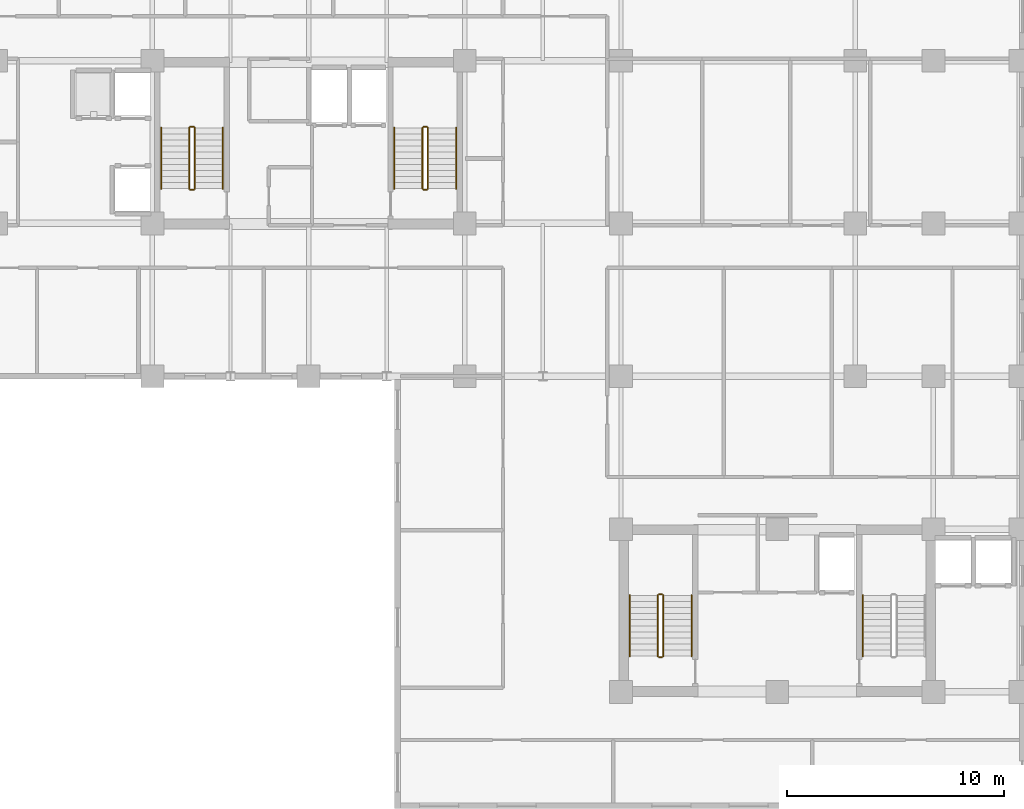
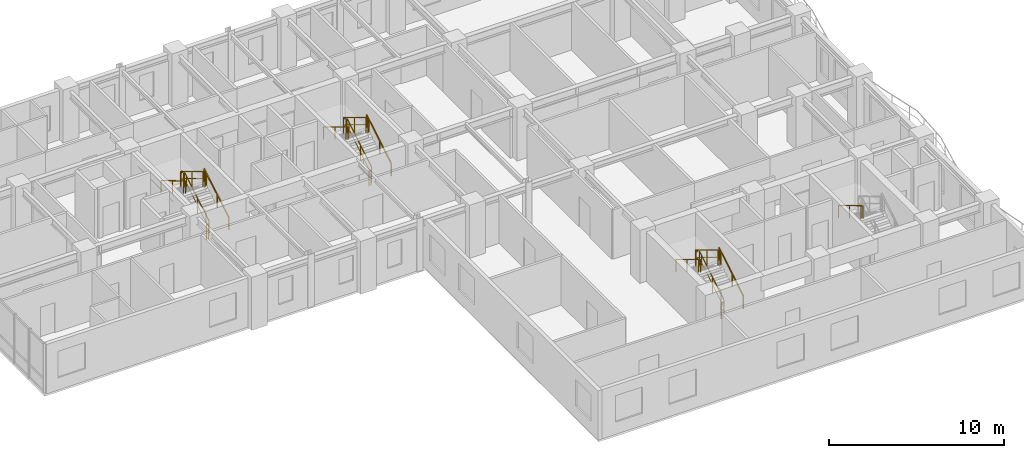
# One storey, part 17 of 20: 19 railings.
"""IFC4 building model written with IfcOpenShell, lengths in metres."""

from ifc_helpers import new_model, si_unit, direction, frame, origin, origin_2d, place, context, subcontext, project, spatial, rectangle, extrude, material, type_object, element, save


model = new_model("IFC4")

# Units and contexts
model_context = context("Model", 3, precision=1e-05, world=origin(), true_north=direction((0.0, 1.0)))
body_context = subcontext(model_context, "Body", "Model", "MODEL_VIEW")
ifc_project = project(units=[si_unit("LENGTHUNIT", "METRE"), si_unit("AREAUNIT", "SQUARE_METRE"), si_unit("VOLUMEUNIT", "CUBIC_METRE"), si_unit("PLANEANGLEUNIT", "RADIAN"), si_unit("MASSUNIT", "GRAM", prefix="KILO")], contexts=[model_context])

# Site, building, storey
site_placement = place(None, origin())
site = spatial("IfcSite", under=ifc_project, at=site_placement, CompositionType="ELEMENT")
building_placement = place(site_placement, origin())
building = spatial("IfcBuilding", under=site, at=building_placement, Name="Kaliganga Portal Commons", CompositionType="ELEMENT")
storey_placement = place(building_placement, frame((0.0, 0.0, 155.0)))
storey = spatial("IfcBuildingStorey", under=building, at=storey_placement, Name="L39", CompositionType="ELEMENT", Elevation=155.0)

# Railings
ifc_material_1 = material(Name="Galvanized Painted Steel Balustrade", Category="steel")
railing_type_1 = type_object("IfcRailingType", Name="RLG-STAIR-GRD", PredefinedType="GUARDRAIL", material=ifc_material_1)
railing_1_placement = place(storey_placement, frame((16.35009765625, 30.25, 0.168212890625)))
element("IfcRailing", 1, at=railing_1_placement, inside=storey, type_object=railing_type_1, Name="L39 ST-A1 stair guard 1", PredefinedType="GUARDRAIL", context=body_context, shape_type="SweptSolid", body=[
    extrude(rectangle(XDim=0.048095703125, YDim=0.048095703125, at=origin_2d()), frame((0.0, 0.0, 1.072021484375), z_axis=(0.0, 0.857242210791, 0.514913383045), x_axis=(-1.0, 0.0, 0.0)), (0.0, 0.0, 1.0), 3.266357421875),
    extrude(rectangle(XDim=0.028076171875, YDim=0.028076171875, at=origin_2d()), frame((0.0, 0.0, 0.572021484375), z_axis=(0.0, 0.857242210791, 0.514913383045), x_axis=(-1.0, 0.0, 0.0)), (0.0, 0.0, 1.0), 3.266357421875),
    extrude(rectangle(XDim=0.0419921875, YDim=0.0419921875, at=origin_2d()), origin(), (0.0, 0.0, 1.0), 1.052001953125),
    extrude(rectangle(XDim=0.0419921875, YDim=0.0419921875, at=origin_2d()), frame((0.0, 1.285888671875, 0.7724609375)), (0.0, 0.0, 1.0), 1.052001953125),
    extrude(rectangle(XDim=0.0419921875, YDim=0.0419921875, at=origin_2d()), frame((0.0, 2.57177734375, 1.544677734375)), (0.0, 0.0, 1.0), 1.052001953125),
    extrude(rectangle(XDim=0.0419921875, YDim=0.0419921875, at=origin_2d()), frame((0.0, 2.800048828125, 1.681884765625)), (0.0, 0.0, 1.0), 1.052001953125),
])
railing_2_placement = place(storey_placement, frame((16.300048828125, 33.10009765625, 1.85009765625)))
element("IfcRailing", 2, at=railing_2_placement, inside=storey, type_object=railing_type_1, Name="L39 ST-A1 stair guard 2", PredefinedType="GUARDRAIL", context=body_context, shape_type="SweptSolid", body=[
    extrude(rectangle(XDim=0.048095703125, YDim=0.048095703125, at=origin_2d()), frame((0.0, 0.0, 1.076171875), z_axis=(-1.0, 0.0, 0.0), x_axis=(0.0, -1.0, 0.0)), (0.0, 0.0, 1.0), 0.150146484375),
    extrude(rectangle(XDim=0.028076171875, YDim=0.028076171875, at=origin_2d()), frame((0.0, 0.0, 0.572021484375), z_axis=(-1.0, 0.0, 0.0), x_axis=(0.0, -1.0, 0.0)), (0.0, 0.0, 1.0), 0.150146484375),
    extrude(rectangle(XDim=0.0419921875, YDim=0.0419921875, at=origin_2d()), origin(), (0.0, 0.0, 1.0), 1.052001953125),
    extrude(rectangle(XDim=0.0419921875, YDim=0.0419921875, at=origin_2d()), frame((-0.150146484375, 0.0, 0.0)), (0.0, 0.0, 1.0), 1.052001953125),
])
railing_3_placement = place(storey_placement, frame((16.10009765625, 33.050048828125, 2.01806640625)))
element("IfcRailing", 3, at=railing_3_placement, inside=storey, type_object=railing_type_1, Name="L39 ST-A1 stair guard 3", PredefinedType="GUARDRAIL", context=body_context, shape_type="SweptSolid", body=[
    extrude(rectangle(XDim=0.048095703125, YDim=0.048095703125, at=origin_2d()), frame((0.0, 0.0, 1.072021484375), z_axis=(0.0, -0.857242210791, 0.514913383045), x_axis=(1.0, 0.0, 0.0)), (0.0, 0.0, 1.0), 3.266357421875),
    extrude(rectangle(XDim=0.028076171875, YDim=0.028076171875, at=origin_2d()), frame((0.0, 0.0, 0.572021484375), z_axis=(0.0, -0.857242210791, 0.514913383045), x_axis=(1.0, 0.0, 0.0)), (0.0, 0.0, 1.0), 3.266357421875),
    extrude(rectangle(XDim=0.0419921875, YDim=0.0419921875, at=origin_2d()), origin(), (0.0, 0.0, 1.0), 1.052001953125),
    extrude(rectangle(XDim=0.0419921875, YDim=0.0419921875, at=origin_2d()), frame((0.0, -1.285888671875, 0.7724609375)), (0.0, 0.0, 1.0), 1.052001953125),
    extrude(rectangle(XDim=0.0419921875, YDim=0.0419921875, at=origin_2d()), frame((0.0, -2.57177734375, 1.544677734375)), (0.0, 0.0, 1.0), 1.052001953125),
    extrude(rectangle(XDim=0.0419921875, YDim=0.0419921875, at=origin_2d()), frame((0.0, -2.800048828125, 1.681884765625)), (0.0, 0.0, 1.0), 1.052001953125),
])
railing_4_placement = place(storey_placement, frame((16.300048828125, 30.199951171875, 0.0)))
element("IfcRailing", 4, at=railing_4_placement, inside=storey, type_object=railing_type_1, Name="L39 ST-A1 stair guard 4", PredefinedType="GUARDRAIL", context=body_context, shape_type="SweptSolid", body=[
    extrude(rectangle(XDim=0.048095703125, YDim=0.048095703125, at=origin_2d()), frame((0.0, 0.0, 1.076171875), z_axis=(-1.0, 0.0, 0.0), x_axis=(0.0, -1.0, 0.0)), (0.0, 0.0, 1.0), 0.150146484375),
    extrude(rectangle(XDim=0.028076171875, YDim=0.028076171875, at=origin_2d()), frame((0.0, 0.0, 0.572021484375), z_axis=(-1.0, 0.0, 0.0), x_axis=(0.0, -1.0, 0.0)), (0.0, 0.0, 1.0), 0.150146484375),
    extrude(rectangle(XDim=0.0419921875, YDim=0.0419921875, at=origin_2d()), origin(), (0.0, 0.0, 1.0), 1.052001953125),
    extrude(rectangle(XDim=0.0419921875, YDim=0.0419921875, at=origin_2d()), frame((-0.150146484375, 0.0, 0.0)), (0.0, 0.0, 1.0), 1.052001953125),
])
railing_5_placement = place(storey_placement, frame((27.10009765625, 30.25, 0.168212890625)))
element("IfcRailing", 5, at=railing_5_placement, inside=storey, type_object=railing_type_1, Name="L39 ST-A2 stair guard 1", PredefinedType="GUARDRAIL", context=body_context, shape_type="SweptSolid", body=[
    extrude(rectangle(XDim=0.048095703125, YDim=0.048095703125, at=origin_2d()), frame((0.0, 0.0, 1.072021484375), z_axis=(0.0, 0.857242210791, 0.514913383045), x_axis=(-1.0, 0.0, 0.0)), (0.0, 0.0, 1.0), 3.266357421875),
    extrude(rectangle(XDim=0.028076171875, YDim=0.028076171875, at=origin_2d()), frame((0.0, 0.0, 0.572021484375), z_axis=(0.0, 0.857242210791, 0.514913383045), x_axis=(-1.0, 0.0, 0.0)), (0.0, 0.0, 1.0), 3.266357421875),
    extrude(rectangle(XDim=0.0419921875, YDim=0.0419921875, at=origin_2d()), origin(), (0.0, 0.0, 1.0), 1.052001953125),
    extrude(rectangle(XDim=0.0419921875, YDim=0.0419921875, at=origin_2d()), frame((0.0, 1.285888671875, 0.7724609375)), (0.0, 0.0, 1.0), 1.052001953125),
    extrude(rectangle(XDim=0.0419921875, YDim=0.0419921875, at=origin_2d()), frame((0.0, 2.57177734375, 1.544677734375)), (0.0, 0.0, 1.0), 1.052001953125),
    extrude(rectangle(XDim=0.0419921875, YDim=0.0419921875, at=origin_2d()), frame((0.0, 2.800048828125, 1.681884765625)), (0.0, 0.0, 1.0), 1.052001953125),
])
railing_6_placement = place(storey_placement, frame((27.050048828125, 33.10009765625, 1.85009765625)))
element("IfcRailing", 6, at=railing_6_placement, inside=storey, type_object=railing_type_1, Name="L39 ST-A2 stair guard 2", PredefinedType="GUARDRAIL", context=body_context, shape_type="SweptSolid", body=[
    extrude(rectangle(XDim=0.048095703125, YDim=0.048095703125, at=origin_2d()), frame((0.0, 0.0, 1.076171875), z_axis=(-1.0, 0.0, 0.0), x_axis=(0.0, -1.0, 0.0)), (0.0, 0.0, 1.0), 0.150146484375),
    extrude(rectangle(XDim=0.028076171875, YDim=0.028076171875, at=origin_2d()), frame((0.0, 0.0, 0.572021484375), z_axis=(-1.0, 0.0, 0.0), x_axis=(0.0, -1.0, 0.0)), (0.0, 0.0, 1.0), 0.150146484375),
    extrude(rectangle(XDim=0.0419921875, YDim=0.0419921875, at=origin_2d()), origin(), (0.0, 0.0, 1.0), 1.052001953125),
    extrude(rectangle(XDim=0.0419921875, YDim=0.0419921875, at=origin_2d()), frame((-0.150146484375, 0.0, 0.0)), (0.0, 0.0, 1.0), 1.052001953125),
])
railing_7_placement = place(storey_placement, frame((26.85009765625, 33.050048828125, 2.01806640625)))
element("IfcRailing", 7, at=railing_7_placement, inside=storey, type_object=railing_type_1, Name="L39 ST-A2 stair guard 3", PredefinedType="GUARDRAIL", context=body_context, shape_type="SweptSolid", body=[
    extrude(rectangle(XDim=0.048095703125, YDim=0.048095703125, at=origin_2d()), frame((0.0, 0.0, 1.072021484375), z_axis=(0.0, -0.857242210791, 0.514913383045), x_axis=(1.0, 0.0, 0.0)), (0.0, 0.0, 1.0), 3.266357421875),
    extrude(rectangle(XDim=0.028076171875, YDim=0.028076171875, at=origin_2d()), frame((0.0, 0.0, 0.572021484375), z_axis=(0.0, -0.857242210791, 0.514913383045), x_axis=(1.0, 0.0, 0.0)), (0.0, 0.0, 1.0), 3.266357421875),
    extrude(rectangle(XDim=0.0419921875, YDim=0.0419921875, at=origin_2d()), origin(), (0.0, 0.0, 1.0), 1.052001953125),
    extrude(rectangle(XDim=0.0419921875, YDim=0.0419921875, at=origin_2d()), frame((0.0, -1.285888671875, 0.7724609375)), (0.0, 0.0, 1.0), 1.052001953125),
    extrude(rectangle(XDim=0.0419921875, YDim=0.0419921875, at=origin_2d()), frame((0.0, -2.57177734375, 1.544677734375)), (0.0, 0.0, 1.0), 1.052001953125),
    extrude(rectangle(XDim=0.0419921875, YDim=0.0419921875, at=origin_2d()), frame((0.0, -2.800048828125, 1.681884765625)), (0.0, 0.0, 1.0), 1.052001953125),
])
railing_8_placement = place(storey_placement, frame((27.050048828125, 30.199951171875, 0.0)))
element("IfcRailing", 8, at=railing_8_placement, inside=storey, type_object=railing_type_1, Name="L39 ST-A2 stair guard 4", PredefinedType="GUARDRAIL", context=body_context, shape_type="SweptSolid", body=[
    extrude(rectangle(XDim=0.048095703125, YDim=0.048095703125, at=origin_2d()), frame((0.0, 0.0, 1.076171875), z_axis=(-1.0, 0.0, 0.0), x_axis=(0.0, -1.0, 0.0)), (0.0, 0.0, 1.0), 0.150146484375),
    extrude(rectangle(XDim=0.028076171875, YDim=0.028076171875, at=origin_2d()), frame((0.0, 0.0, 0.572021484375), z_axis=(-1.0, 0.0, 0.0), x_axis=(0.0, -1.0, 0.0)), (0.0, 0.0, 1.0), 0.150146484375),
    extrude(rectangle(XDim=0.0419921875, YDim=0.0419921875, at=origin_2d()), origin(), (0.0, 0.0, 1.0), 1.052001953125),
    extrude(rectangle(XDim=0.0419921875, YDim=0.0419921875, at=origin_2d()), frame((-0.150146484375, 0.0, 0.0)), (0.0, 0.0, 1.0), 1.052001953125),
])
railing_9_placement = place(storey_placement, frame((37.949951171875, 8.699951171875, 0.168212890625)))
element("IfcRailing", 9, at=railing_9_placement, inside=storey, type_object=railing_type_1, Name="L39 ST-B1 stair guard 1", PredefinedType="GUARDRAIL", context=body_context, shape_type="SweptSolid", body=[
    extrude(rectangle(XDim=0.048095703125, YDim=0.048095703125, at=origin_2d()), frame((0.0, 0.0, 1.072021484375), z_axis=(0.0, 0.857242210791, 0.514913383045), x_axis=(-1.0, 0.0, 0.0)), (0.0, 0.0, 1.0), 3.266357421875),
    extrude(rectangle(XDim=0.028076171875, YDim=0.028076171875, at=origin_2d()), frame((0.0, 0.0, 0.572021484375), z_axis=(0.0, 0.857242210791, 0.514913383045), x_axis=(-1.0, 0.0, 0.0)), (0.0, 0.0, 1.0), 3.266357421875),
    extrude(rectangle(XDim=0.0419921875, YDim=0.0419921875, at=origin_2d()), origin(), (0.0, 0.0, 1.0), 1.052001953125),
    extrude(rectangle(XDim=0.0419921875, YDim=0.0419921875, at=origin_2d()), frame((0.0, 1.285888671875, 0.7724609375)), (0.0, 0.0, 1.0), 1.052001953125),
    extrude(rectangle(XDim=0.0419921875, YDim=0.0419921875, at=origin_2d()), frame((0.0, 2.57177734375, 1.544677734375)), (0.0, 0.0, 1.0), 1.052001953125),
    extrude(rectangle(XDim=0.0419921875, YDim=0.0419921875, at=origin_2d()), frame((0.0, 2.800048828125, 1.681884765625)), (0.0, 0.0, 1.0), 1.052001953125),
])
railing_10_placement = place(storey_placement, frame((37.89990234375, 11.550048828125, 1.85009765625)))
element("IfcRailing", 10, at=railing_10_placement, inside=storey, type_object=railing_type_1, Name="L39 ST-B1 stair guard 2", PredefinedType="GUARDRAIL", context=body_context, shape_type="SweptSolid", body=[
    extrude(rectangle(XDim=0.048095703125, YDim=0.048095703125, at=origin_2d()), frame((0.0, 0.0, 1.076171875), z_axis=(-1.0, 0.0, 0.0), x_axis=(0.0, -1.0, 0.0)), (0.0, 0.0, 1.0), 0.14990234375),
    extrude(rectangle(XDim=0.028076171875, YDim=0.028076171875, at=origin_2d()), frame((0.0, 0.0, 0.572021484375), z_axis=(-1.0, 0.0, 0.0), x_axis=(0.0, -1.0, 0.0)), (0.0, 0.0, 1.0), 0.14990234375),
    extrude(rectangle(XDim=0.0419921875, YDim=0.0419921875, at=origin_2d()), frame((-0.14990234375, 0.0, 0.0)), (0.0, 0.0, 1.0), 1.052001953125),
])
railing_11_placement = place(storey_placement, frame((37.699951171875, 11.5, 2.01806640625)))
element("IfcRailing", 11, at=railing_11_placement, inside=storey, type_object=railing_type_1, Name="L39 ST-B1 stair guard 3", PredefinedType="GUARDRAIL", context=body_context, shape_type="SweptSolid", body=[
    extrude(rectangle(XDim=0.048095703125, YDim=0.048095703125, at=origin_2d()), frame((0.0, 0.0, 1.072021484375), z_axis=(0.0, -0.857242210791, 0.514913383045), x_axis=(1.0, 0.0, 0.0)), (0.0, 0.0, 1.0), 3.266357421875),
    extrude(rectangle(XDim=0.028076171875, YDim=0.028076171875, at=origin_2d()), frame((0.0, 0.0, 0.572021484375), z_axis=(0.0, -0.857242210791, 0.514913383045), x_axis=(1.0, 0.0, 0.0)), (0.0, 0.0, 1.0), 3.266357421875),
    extrude(rectangle(XDim=0.0419921875, YDim=0.0419921875, at=origin_2d()), origin(), (0.0, 0.0, 1.0), 1.052001953125),
    extrude(rectangle(XDim=0.0419921875, YDim=0.0419921875, at=origin_2d()), frame((0.0, -1.285888671875, 0.7724609375)), (0.0, 0.0, 1.0), 1.052001953125),
    extrude(rectangle(XDim=0.0419921875, YDim=0.0419921875, at=origin_2d()), frame((0.0, -2.57177734375, 1.544677734375)), (0.0, 0.0, 1.0), 1.052001953125),
    extrude(rectangle(XDim=0.0419921875, YDim=0.0419921875, at=origin_2d()), frame((0.0, -2.800048828125, 1.681884765625)), (0.0, 0.0, 1.0), 1.052001953125),
])
railing_12_placement = place(storey_placement, frame((37.89990234375, 8.64990234375, 0.0)))
element("IfcRailing", 12, at=railing_12_placement, inside=storey, type_object=railing_type_1, Name="L39 ST-B1 stair guard 4", PredefinedType="GUARDRAIL", context=body_context, shape_type="SweptSolid", body=[
    extrude(rectangle(XDim=0.048095703125, YDim=0.048095703125, at=origin_2d()), frame((0.0, 0.0, 1.076171875), z_axis=(-1.0, 0.0, 0.0), x_axis=(0.0, -1.0, 0.0)), (0.0, 0.0, 1.0), 0.14990234375),
    extrude(rectangle(XDim=0.028076171875, YDim=0.028076171875, at=origin_2d()), frame((0.0, 0.0, 0.572021484375), z_axis=(-1.0, 0.0, 0.0), x_axis=(0.0, -1.0, 0.0)), (0.0, 0.0, 1.0), 0.14990234375),
    extrude(rectangle(XDim=0.0419921875, YDim=0.0419921875, at=origin_2d()), frame((-0.14990234375, 0.0, 0.0)), (0.0, 0.0, 1.0), 1.052001953125),
])
ifc_material_2 = material(Name="Brushed Stainless Steel 316", Category="steel")
railing_type_2 = type_object("IfcRailingType", Name="RLG-STAIR-HR", PredefinedType="HANDRAIL", material=ifc_material_2)
railing_13_placement = place(storey_placement, frame((17.64990234375, 30.25, 0.168212890625)))
element("IfcRailing", 13, at=railing_13_placement, inside=storey, type_object=railing_type_2, Name="L39 ST-A1 stair handrail 1", PredefinedType="HANDRAIL", context=body_context, shape_type="SweptSolid", body=[
    extrude(rectangle(XDim=0.048095703125, YDim=0.048095703125, at=origin_2d()), frame((0.0, 0.0, 0.871826171875), z_axis=(0.0, 0.857242210791, 0.514913383045), x_axis=(-1.0, 0.0, 0.0)), (0.0, 0.0, 1.0), 3.266357421875),
    extrude(rectangle(XDim=0.0419921875, YDim=0.0419921875, at=origin_2d()), origin(), (0.0, 0.0, 1.0), 0.851806640625),
    extrude(rectangle(XDim=0.0419921875, YDim=0.0419921875, at=origin_2d()), frame((0.0, 1.285888671875, 0.7724609375)), (0.0, 0.0, 1.0), 0.851806640625),
    extrude(rectangle(XDim=0.0419921875, YDim=0.0419921875, at=origin_2d()), frame((0.0, 2.57177734375, 1.544677734375)), (0.0, 0.0, 1.0), 0.851806640625),
    extrude(rectangle(XDim=0.0419921875, YDim=0.0419921875, at=origin_2d()), frame((0.0, 2.800048828125, 1.681884765625)), (0.0, 0.0, 1.0), 0.851806640625),
])
railing_14_placement = place(storey_placement, frame((14.800048828125, 33.050048828125, 2.01806640625)))
element("IfcRailing", 14, at=railing_14_placement, inside=storey, type_object=railing_type_2, Name="L39 ST-A1 stair handrail 2", PredefinedType="HANDRAIL", context=body_context, shape_type="SweptSolid", body=[
    extrude(rectangle(XDim=0.048095703125, YDim=0.048095703125, at=origin_2d()), frame((0.0, 0.0, 0.871826171875), z_axis=(0.0, -0.857242210791, 0.514913383045), x_axis=(1.0, 0.0, 0.0)), (0.0, 0.0, 1.0), 3.266357421875),
    extrude(rectangle(XDim=0.0419921875, YDim=0.0419921875, at=origin_2d()), origin(), (0.0, 0.0, 1.0), 0.851806640625),
    extrude(rectangle(XDim=0.0419921875, YDim=0.0419921875, at=origin_2d()), frame((0.0, -1.285888671875, 0.7724609375)), (0.0, 0.0, 1.0), 0.851806640625),
    extrude(rectangle(XDim=0.0419921875, YDim=0.0419921875, at=origin_2d()), frame((0.0, -2.57177734375, 1.544677734375)), (0.0, 0.0, 1.0), 0.851806640625),
    extrude(rectangle(XDim=0.0419921875, YDim=0.0419921875, at=origin_2d()), frame((0.0, -2.800048828125, 1.681884765625)), (0.0, 0.0, 1.0), 0.851806640625),
])
railing_15_placement = place(storey_placement, frame((28.39990234375, 30.25, 0.168212890625)))
element("IfcRailing", 15, at=railing_15_placement, inside=storey, type_object=railing_type_2, Name="L39 ST-A2 stair handrail 1", PredefinedType="HANDRAIL", context=body_context, shape_type="SweptSolid", body=[
    extrude(rectangle(XDim=0.048095703125, YDim=0.048095703125, at=origin_2d()), frame((0.0, 0.0, 0.871826171875), z_axis=(0.0, 0.857242210791, 0.514913383045), x_axis=(-1.0, 0.0, 0.0)), (0.0, 0.0, 1.0), 3.266357421875),
    extrude(rectangle(XDim=0.0419921875, YDim=0.0419921875, at=origin_2d()), origin(), (0.0, 0.0, 1.0), 0.851806640625),
    extrude(rectangle(XDim=0.0419921875, YDim=0.0419921875, at=origin_2d()), frame((0.0, 1.285888671875, 0.7724609375)), (0.0, 0.0, 1.0), 0.851806640625),
    extrude(rectangle(XDim=0.0419921875, YDim=0.0419921875, at=origin_2d()), frame((0.0, 2.57177734375, 1.544677734375)), (0.0, 0.0, 1.0), 0.851806640625),
    extrude(rectangle(XDim=0.0419921875, YDim=0.0419921875, at=origin_2d()), frame((0.0, 2.800048828125, 1.681884765625)), (0.0, 0.0, 1.0), 0.851806640625),
])
railing_16_placement = place(storey_placement, frame((25.550048828125, 33.050048828125, 2.01806640625)))
element("IfcRailing", 16, at=railing_16_placement, inside=storey, type_object=railing_type_2, Name="L39 ST-A2 stair handrail 2", PredefinedType="HANDRAIL", context=body_context, shape_type="SweptSolid", body=[
    extrude(rectangle(XDim=0.048095703125, YDim=0.048095703125, at=origin_2d()), frame((0.0, 0.0, 0.871826171875), z_axis=(0.0, -0.857242210791, 0.514913383045), x_axis=(1.0, 0.0, 0.0)), (0.0, 0.0, 1.0), 3.266357421875),
    extrude(rectangle(XDim=0.0419921875, YDim=0.0419921875, at=origin_2d()), origin(), (0.0, 0.0, 1.0), 0.851806640625),
    extrude(rectangle(XDim=0.0419921875, YDim=0.0419921875, at=origin_2d()), frame((0.0, -1.285888671875, 0.7724609375)), (0.0, 0.0, 1.0), 0.851806640625),
    extrude(rectangle(XDim=0.0419921875, YDim=0.0419921875, at=origin_2d()), frame((0.0, -2.57177734375, 1.544677734375)), (0.0, 0.0, 1.0), 0.851806640625),
    extrude(rectangle(XDim=0.0419921875, YDim=0.0419921875, at=origin_2d()), frame((0.0, -2.800048828125, 1.681884765625)), (0.0, 0.0, 1.0), 0.851806640625),
])
railing_17_placement = place(storey_placement, frame((39.25, 8.699951171875, 0.168212890625)))
element("IfcRailing", 17, at=railing_17_placement, inside=storey, type_object=railing_type_2, Name="L39 ST-B1 stair handrail 1", PredefinedType="HANDRAIL", context=body_context, shape_type="SweptSolid", body=[
    extrude(rectangle(XDim=0.048095703125, YDim=0.048095703125, at=origin_2d()), frame((0.0, 0.0, 0.871826171875), z_axis=(0.0, 0.857242210791, 0.514913383045), x_axis=(-1.0, 0.0, 0.0)), (0.0, 0.0, 1.0), 3.266357421875),
    extrude(rectangle(XDim=0.0419921875, YDim=0.0419921875, at=origin_2d()), origin(), (0.0, 0.0, 1.0), 0.851806640625),
    extrude(rectangle(XDim=0.0419921875, YDim=0.0419921875, at=origin_2d()), frame((0.0, 1.285888671875, 0.7724609375)), (0.0, 0.0, 1.0), 0.851806640625),
    extrude(rectangle(XDim=0.0419921875, YDim=0.0419921875, at=origin_2d()), frame((0.0, 2.57177734375, 1.544677734375)), (0.0, 0.0, 1.0), 0.851806640625),
    extrude(rectangle(XDim=0.0419921875, YDim=0.0419921875, at=origin_2d()), frame((0.0, 2.800048828125, 1.681884765625)), (0.0, 0.0, 1.0), 0.851806640625),
])
for number, where, name in (
    (18, (36.39990234375, 11.5, 2.01806640625), "L39 ST-B1 stair handrail 2"),
    (19, (47.14990234375, 11.5, 2.01806640625), "L39 ST-B2 stair handrail 2"),
):
    element("IfcRailing", number, at=place(storey_placement, frame(where)), inside=storey, type_object=railing_type_2, Name=name, PredefinedType="HANDRAIL", context=body_context, shape_type="SweptSolid", body=[
        extrude(rectangle(XDim=0.048095703125, YDim=0.048095703125, at=origin_2d()), frame((0.0, 0.0, 0.871826171875), z_axis=(0.0, -0.857242210791, 0.514913383045), x_axis=(1.0, 0.0, 0.0)), (0.0, 0.0, 1.0), 3.266357421875),
        extrude(rectangle(XDim=0.0419921875, YDim=0.0419921875, at=origin_2d()), origin(), (0.0, 0.0, 1.0), 0.851806640625),
        extrude(rectangle(XDim=0.0419921875, YDim=0.0419921875, at=origin_2d()), frame((0.0, -1.285888671875, 0.7724609375)), (0.0, 0.0, 1.0), 0.851806640625),
        extrude(rectangle(XDim=0.0419921875, YDim=0.0419921875, at=origin_2d()), frame((0.0, -2.57177734375, 1.544677734375)), (0.0, 0.0, 1.0), 0.851806640625),
        extrude(rectangle(XDim=0.0419921875, YDim=0.0419921875, at=origin_2d()), frame((0.0, -2.800048828125, 1.681884765625)), (0.0, 0.0, 1.0), 0.851806640625),
    ])

save(model, "model.ifc")
